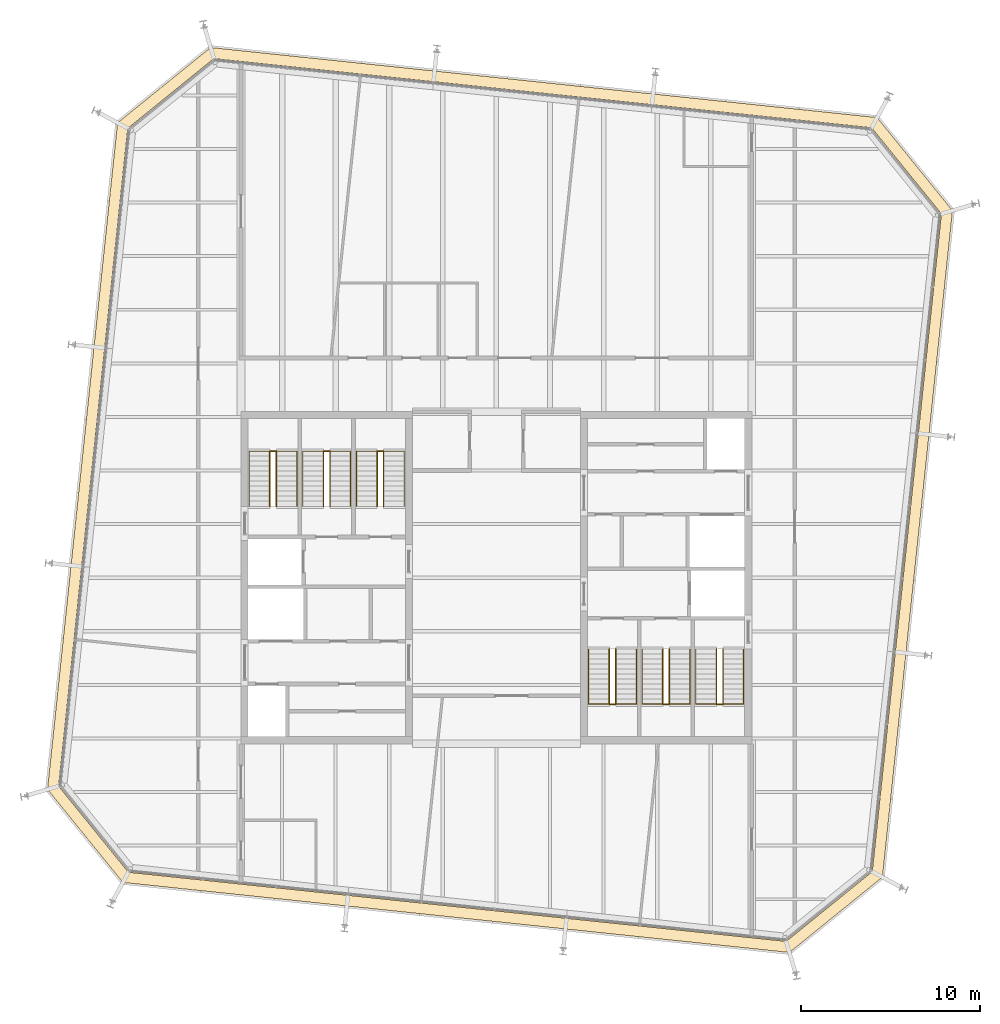
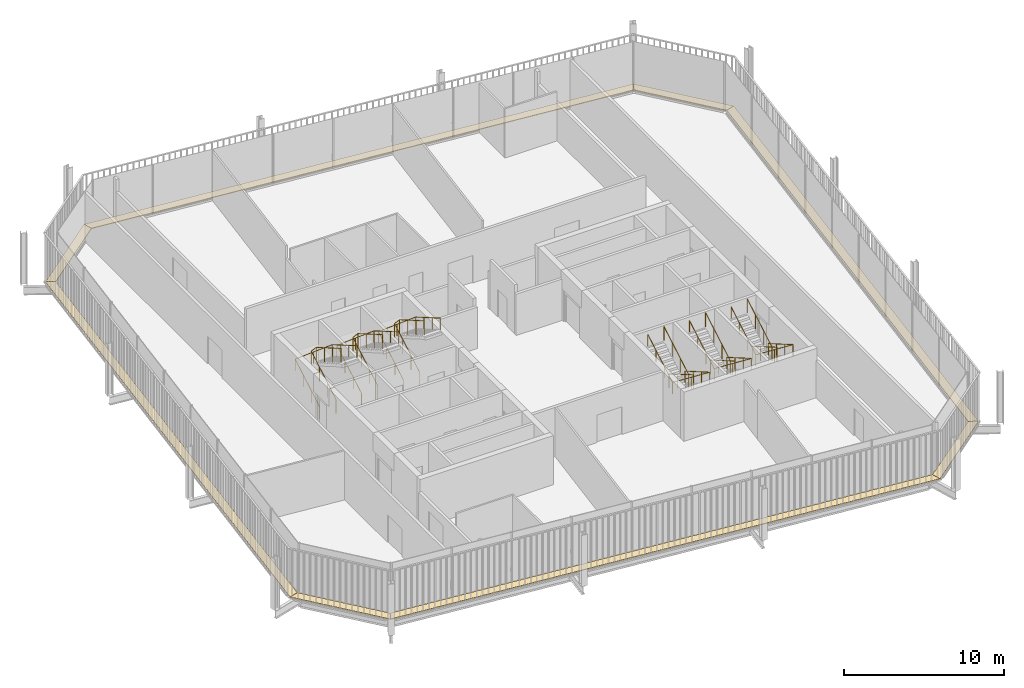
# One storey, part 20 of 20: 12 railings, 8 coverings.
"""IFC4 building model written with IfcOpenShell, lengths in metres."""

from ifc_helpers import new_model, si_unit, direction, frame, origin, origin_2d, place, context, subcontext, project, spatial, polyline, circle, outline, extrude, material, layer, layer_set, type_object, element, save


model = new_model("IFC4")

# Units and contexts
model_context = context("Model", 3, precision=1e-05, world=origin(), true_north=direction((0.0, 1.0)))
body_context = subcontext(model_context, "Body", "Model", "MODEL_VIEW")
ifc_project = project(units=[si_unit("LENGTHUNIT", "METRE"), si_unit("AREAUNIT", "SQUARE_METRE"), si_unit("VOLUMEUNIT", "CUBIC_METRE"), si_unit("PLANEANGLEUNIT", "RADIAN"), si_unit("MASSUNIT", "GRAM", prefix="KILO")], contexts=[model_context])

# Site, building, storey
site_placement = place(None, origin())
site = spatial("IfcSite", under=ifc_project, at=site_placement, CompositionType="ELEMENT")
building_placement = place(site_placement, origin())
building = spatial("IfcBuilding", under=site, at=building_placement, Name="Millrace Tower", CompositionType="ELEMENT")
storey_placement = place(building_placement, frame((0.0, 0.0, 303.300048828125)))
storey = spatial("IfcBuildingStorey", under=building, at=storey_placement, Name="L70", CompositionType="ELEMENT", Elevation=303.300048828125)

# Coverings
ifc_material_1 = material(Name="Steel ASTM A36", Category="steel")
ifc_layer = layer(ifc_material_1, 0.050048828125)
ifc_layer_set = layer_set([ifc_layer], Name="Steel ASTM A36")
covering_type = type_object("IfcCoveringType", Name="CAVITY CATWALK steel grating", PredefinedType="FLOORING", material=ifc_layer_set)
placement = place(storey_placement, frame((0.0, 0.0, 0.099853515625)))
element("IfcCovering", 1, at=placement, inside=storey, type_object=covering_type, Name="Cavity catwalk grating E-F01 L70 1", PredefinedType="FLOORING", context=body_context, shape_type="SweptSolid", body=[
    extrude(outline(polyline([(-25.13232421875, -11.8515625), (-20.914306640625, -17.060302734375), (-20.6044921875, -16.489501953125), (-24.509521484375, -11.6669921875), (-25.13232421875, -11.8515625)])), origin(), (0.0, 0.0, 1.0), 0.050048828125),
])
element("IfcCovering", 2, at=placement, inside=storey, type_object=covering_type, Name="Cavity catwalk grating E-F02 L70 1", PredefinedType="FLOORING", context=body_context, shape_type="SweptSolid", body=[
    extrude(outline(polyline([(-20.914306640625, -17.060302734375), (16.4013671875, -20.982177734375), (16.217041015625, -20.359619140625), (-20.6044921875, -16.489501953125), (-20.914306640625, -17.060302734375)])), origin(), (0.0, 0.0, 1.0), 0.050048828125),
])
element("IfcCovering", 3, at=placement, inside=storey, type_object=covering_type, Name="Cavity catwalk grating E-F03 L70 1", PredefinedType="FLOORING", context=body_context, shape_type="SweptSolid", body=[
    extrude(outline(polyline([(16.4013671875, -20.982177734375), (21.6103515625, -16.764404296875), (21.03955078125, -16.454345703125), (16.217041015625, -20.359619140625), (16.4013671875, -20.982177734375)])), origin(), (0.0, 0.0, 1.0), 0.050048828125),
])
element("IfcCovering", 4, at=placement, inside=storey, type_object=covering_type, Name="Cavity catwalk grating E-F04 L70 1", PredefinedType="FLOORING", context=body_context, shape_type="SweptSolid", body=[
    extrude(outline(polyline([(21.6103515625, -16.764404296875), (25.5322265625, 20.551513671875), (24.90966796875, 20.366943359375), (21.03955078125, -16.454345703125), (21.6103515625, -16.764404296875)])), origin(), (0.0, 0.0, 1.0), 0.050048828125),
])
element("IfcCovering", 5, at=placement, inside=storey, type_object=covering_type, Name="Cavity catwalk grating E-F05 L70 1", PredefinedType="FLOORING", context=body_context, shape_type="SweptSolid", body=[
    extrude(outline(polyline([(25.5322265625, 20.551513671875), (21.314208984375, 25.76025390625), (21.00439453125, 25.189453125), (24.90966796875, 20.366943359375), (25.5322265625, 20.551513671875)])), origin(), (0.0, 0.0, 1.0), 0.050048828125),
])
element("IfcCovering", 6, at=placement, inside=storey, type_object=covering_type, Name="Cavity catwalk grating E-F06 L70 1", PredefinedType="FLOORING", context=body_context, shape_type="SweptSolid", body=[
    extrude(outline(polyline([(21.314208984375, 25.76025390625), (-16.00146484375, 29.682373046875), (-15.817138671875, 29.0595703125), (21.00439453125, 25.189453125), (21.314208984375, 25.76025390625)])), origin(), (0.0, 0.0, 1.0), 0.050048828125),
])
element("IfcCovering", 7, at=placement, inside=storey, type_object=covering_type, Name="Cavity catwalk grating E-F07 L70 1", PredefinedType="FLOORING", context=body_context, shape_type="SweptSolid", body=[
    extrude(outline(polyline([(-16.00146484375, 29.682373046875), (-21.210205078125, 25.46435546875), (-20.639404296875, 25.154541015625), (-15.817138671875, 29.0595703125), (-16.00146484375, 29.682373046875)])), origin(), (0.0, 0.0, 1.0), 0.050048828125),
])
element("IfcCovering", 8, at=placement, inside=storey, type_object=covering_type, Name="Cavity catwalk grating E-F08 L70 1", PredefinedType="FLOORING", context=body_context, shape_type="SweptSolid", body=[
    extrude(outline(polyline([(-21.210205078125, 25.46435546875), (-25.13232421875, -11.8515625), (-24.509521484375, -11.6669921875), (-20.639404296875, 25.154541015625), (-21.210205078125, 25.46435546875)])), origin(), (0.0, 0.0, 1.0), 0.050048828125),
])

# Railings
ifc_material_2 = material(Name="Stainless steel ASTM A240 type 316", Category="steel")
railing_type_1 = type_object("IfcRailingType", Name="Stair guard 1100", PredefinedType="GUARDRAIL", material=ifc_material_2)
for number, where, name in (
    (9, (-12.679931640625, 4.0, 0.162353515625), "Stair guard 1 W L70"),
    (10, (-9.679931640625, 4.0, 0.162353515625), "Stair guard 2 W L70"),
    (11, (-6.679931640625, 4.0, 0.162353515625), "Stair guard 3 W L70"),
):
    element("IfcRailing", number, at=place(storey_placement, frame(where)), inside=storey, type_object=railing_type_1, Name=name, PredefinedType="GUARDRAIL", context=body_context, shape_type="SweptSolid", body=[
        extrude(circle(Radius=0.02392578125, at=origin_2d()), frame((0.0, 0.0, 1.076171875), z_axis=(0.0, 0.864890721111, 0.501960198159), x_axis=(-1.0, 0.0, 0.0)), (0.0, 0.0, 1.0), 3.561279296875),
        extrude(circle(Radius=0.02392578125, at=origin_2d()), frame((0.0, 3.080078125, 2.86376953125), z_axis=(0.911295775139, 0.0, 0.411752365158), x_axis=(0.0, 1.0, 0.0)), (0.0, 0.0, 1.0), 0.394775390625),
        extrude(circle(Radius=0.02392578125, at=origin_2d()), frame((0.35986328125, 3.080078125, 3.0263671875), z_axis=(0.0, -0.864920483161, 0.501908913857), x_axis=(1.0, 0.0, 0.0)), (0.0, 0.0, 1.0), 3.56103515625),
        extrude(circle(Radius=0.02099609375, at=origin_2d()), origin(), (0.0, 0.0, 1.0), 1.052001953125),
        extrude(circle(Radius=0.02099609375, at=origin_2d()), frame((0.0, 1.026611328125, 0.595947265625)), (0.0, 0.0, 1.0), 1.052001953125),
        extrude(circle(Radius=0.02099609375, at=origin_2d()), frame((0.0, 2.053466796875, 1.191650390625)), (0.0, 0.0, 1.0), 1.052001953125),
        extrude(circle(Radius=0.02099609375, at=origin_2d()), frame((0.0, 3.080078125, 1.78759765625)), (0.0, 0.0, 1.0), 1.052001953125),
        extrude(circle(Radius=0.02099609375, at=origin_2d()), frame((0.35986328125, 3.080078125, 1.9501953125)), (0.0, 0.0, 1.0), 1.052001953125),
        extrude(circle(Radius=0.02099609375, at=origin_2d()), frame((0.35986328125, 2.053466796875, 2.5458984375)), (0.0, 0.0, 1.0), 1.052001953125),
        extrude(circle(Radius=0.02099609375, at=origin_2d()), frame((0.35986328125, 1.026611328125, 3.141845703125)), (0.0, 0.0, 1.0), 1.052001953125),
        extrude(circle(Radius=0.02099609375, at=origin_2d()), frame((0.35986328125, 0.0, 3.737548828125)), (0.0, 0.0, 1.0), 1.052001953125),
    ])
for number, where, name in (
    (12, (12.679931640625, -4.0, 0.162353515625), "Stair guard 1 E L70"),
    (13, (9.679931640625, -4.0, 0.162353515625), "Stair guard 2 E L70"),
    (14, (6.679931640625, -4.0, 0.162353515625), "Stair guard 3 E L70"),
):
    element("IfcRailing", number, at=place(storey_placement, frame(where)), inside=storey, type_object=railing_type_1, Name=name, PredefinedType="GUARDRAIL", context=body_context, shape_type="SweptSolid", body=[
        extrude(circle(Radius=0.02392578125, at=origin_2d()), frame((0.0, 0.0, 1.076171875), z_axis=(0.0, -0.864890721111, 0.501960198159), x_axis=(1.0, 0.0, 0.0)), (0.0, 0.0, 1.0), 3.561279296875),
        extrude(circle(Radius=0.02392578125, at=origin_2d()), frame((0.0, -3.080078125, 2.86376953125), z_axis=(-0.911295775139, 0.0, 0.411752365158), x_axis=(0.0, -1.0, 0.0)), (0.0, 0.0, 1.0), 0.394775390625),
        extrude(circle(Radius=0.02392578125, at=origin_2d()), frame((-0.35986328125, -3.080078125, 3.0263671875), z_axis=(0.0, 0.864920483161, 0.501908913857), x_axis=(-1.0, 0.0, 0.0)), (0.0, 0.0, 1.0), 3.56103515625),
        extrude(circle(Radius=0.02099609375, at=origin_2d()), origin(), (0.0, 0.0, 1.0), 1.052001953125),
        extrude(circle(Radius=0.02099609375, at=origin_2d()), frame((0.0, -1.026611328125, 0.595947265625)), (0.0, 0.0, 1.0), 1.052001953125),
        extrude(circle(Radius=0.02099609375, at=origin_2d()), frame((0.0, -2.053466796875, 1.191650390625)), (0.0, 0.0, 1.0), 1.052001953125),
        extrude(circle(Radius=0.02099609375, at=origin_2d()), frame((0.0, -3.080078125, 1.78759765625)), (0.0, 0.0, 1.0), 1.052001953125),
        extrude(circle(Radius=0.02099609375, at=origin_2d()), frame((-0.35986328125, -3.080078125, 1.9501953125)), (0.0, 0.0, 1.0), 1.052001953125),
        extrude(circle(Radius=0.02099609375, at=origin_2d()), frame((-0.35986328125, -2.053466796875, 2.5458984375)), (0.0, 0.0, 1.0), 1.052001953125),
        extrude(circle(Radius=0.02099609375, at=origin_2d()), frame((-0.35986328125, -1.026611328125, 3.141845703125)), (0.0, 0.0, 1.0), 1.052001953125),
        extrude(circle(Radius=0.02099609375, at=origin_2d()), frame((-0.35986328125, 0.0, 3.737548828125)), (0.0, 0.0, 1.0), 1.052001953125),
    ])
ifc_material_3 = material(Name="Stainless steel ASTM A240 type 316", Category="steel")
railing_type_2 = type_object("IfcRailingType", Name="Stair handrail 900", PredefinedType="HANDRAIL", material=ifc_material_3)
railing_1_placement = place(storey_placement, frame((-13.840087890625, 4.0, 0.162353515625)))
element("IfcRailing", 15, at=railing_1_placement, inside=storey, type_object=railing_type_2, Name="Stair handrail 1 W L70", PredefinedType="HANDRAIL", context=body_context, shape_type="SweptSolid", body=[
    extrude(circle(Radius=0.02392578125, at=origin_2d()), frame((0.0, 0.0, 0.8759765625), z_axis=(0.0, 0.864890721111, 0.501960198159), x_axis=(-1.0, 0.0, 0.0)), (0.0, 0.0, 1.0), 3.561279296875),
    extrude(circle(Radius=0.02392578125, at=origin_2d()), frame((0.0, 3.080078125, 2.66357421875), z_axis=(0.998164834547, 0.0, 0.060555454528), x_axis=(0.0, 1.0, 0.0)), (0.0, 0.0, 1.0), 2.68505859375),
    extrude(circle(Radius=0.02392578125, at=origin_2d()), frame((2.68017578125, 3.080078125, 2.826171875), z_axis=(0.0, -0.864920483161, 0.501908913857), x_axis=(1.0, 0.0, 0.0)), (0.0, 0.0, 1.0), 3.56103515625),
    extrude(circle(Radius=0.02099609375, at=origin_2d()), origin(), (0.0, 0.0, 1.0), 0.851806640625),
    extrude(circle(Radius=0.02099609375, at=origin_2d()), frame((0.0, 1.026611328125, 0.595947265625)), (0.0, 0.0, 1.0), 0.851806640625),
    extrude(circle(Radius=0.02099609375, at=origin_2d()), frame((0.0, 2.053466796875, 1.191650390625)), (0.0, 0.0, 1.0), 0.851806640625),
    extrude(circle(Radius=0.02099609375, at=origin_2d()), frame((0.0, 3.080078125, 1.78759765625)), (0.0, 0.0, 1.0), 0.851806640625),
    extrude(circle(Radius=0.02099609375, at=origin_2d()), frame((1.340087890625, 3.080078125, 1.868896484375)), (0.0, 0.0, 1.0), 0.851806640625),
    extrude(circle(Radius=0.02099609375, at=origin_2d()), frame((2.68017578125, 3.080078125, 1.9501953125)), (0.0, 0.0, 1.0), 0.851806640625),
    extrude(circle(Radius=0.02099609375, at=origin_2d()), frame((2.68017578125, 2.053466796875, 2.5458984375)), (0.0, 0.0, 1.0), 0.851806640625),
    extrude(circle(Radius=0.02099609375, at=origin_2d()), frame((2.68017578125, 1.026611328125, 3.141845703125)), (0.0, 0.0, 1.0), 0.851806640625),
    extrude(circle(Radius=0.02099609375, at=origin_2d()), frame((2.68017578125, 0.0, 3.737548828125)), (0.0, 0.0, 1.0), 0.851806640625),
])
railing_2_placement = place(storey_placement, frame((-10.840087890625, 4.0, 0.162353515625)))
element("IfcRailing", 16, at=railing_2_placement, inside=storey, type_object=railing_type_2, Name="Stair handrail 2 W L70", PredefinedType="HANDRAIL", context=body_context, shape_type="SweptSolid", body=[
    extrude(circle(Radius=0.02392578125, at=origin_2d()), frame((0.0, 0.0, 0.8759765625), z_axis=(0.0, 0.864890721111, 0.501960198159), x_axis=(-1.0, 0.0, 0.0)), (0.0, 0.0, 1.0), 3.561279296875),
    extrude(circle(Radius=0.02392578125, at=origin_2d()), frame((0.0, 3.080078125, 2.66357421875), z_axis=(0.998164834547, 0.0, 0.060555454528), x_axis=(0.0, 1.0, 0.0)), (0.0, 0.0, 1.0), 2.68505859375),
    extrude(circle(Radius=0.02392578125, at=origin_2d()), frame((2.68017578125, 3.080078125, 2.826171875), z_axis=(0.0, -0.864920483161, 0.501908913857), x_axis=(1.0, 0.0, 0.0)), (0.0, 0.0, 1.0), 3.56103515625),
    extrude(circle(Radius=0.02099609375, at=origin_2d()), origin(), (0.0, 0.0, 1.0), 0.851806640625),
    extrude(circle(Radius=0.02099609375, at=origin_2d()), frame((0.0, 1.026611328125, 0.595947265625)), (0.0, 0.0, 1.0), 0.851806640625),
    extrude(circle(Radius=0.02099609375, at=origin_2d()), frame((0.0, 2.053466796875, 1.191650390625)), (0.0, 0.0, 1.0), 0.851806640625),
    extrude(circle(Radius=0.02099609375, at=origin_2d()), frame((0.0, 3.080078125, 1.78759765625)), (0.0, 0.0, 1.0), 0.851806640625),
    extrude(circle(Radius=0.02099609375, at=origin_2d()), frame((1.340087890625, 3.080078125, 1.868896484375)), (0.0, 0.0, 1.0), 0.851806640625),
    extrude(circle(Radius=0.02099609375, at=origin_2d()), frame((2.68017578125, 3.080078125, 1.9501953125)), (0.0, 0.0, 1.0), 0.851806640625),
    extrude(circle(Radius=0.02099609375, at=origin_2d()), frame((2.68017578125, 2.053466796875, 2.5458984375)), (0.0, 0.0, 1.0), 0.851806640625),
    extrude(circle(Radius=0.02099609375, at=origin_2d()), frame((2.68017578125, 1.026611328125, 3.141845703125)), (0.0, 0.0, 1.0), 0.851806640625),
    extrude(circle(Radius=0.02099609375, at=origin_2d()), frame((2.68017578125, 0.0, 3.737548828125)), (0.0, 0.0, 1.0), 0.851806640625),
])
railing_3_placement = place(storey_placement, frame((-7.840087890625, 4.0, 0.162353515625)))
element("IfcRailing", 17, at=railing_3_placement, inside=storey, type_object=railing_type_2, Name="Stair handrail 3 W L70", PredefinedType="HANDRAIL", context=body_context, shape_type="SweptSolid", body=[
    extrude(circle(Radius=0.02392578125, at=origin_2d()), frame((0.0, 0.0, 0.8759765625), z_axis=(0.0, 0.864890721111, 0.501960198159), x_axis=(-1.0, 0.0, 0.0)), (0.0, 0.0, 1.0), 3.561279296875),
    extrude(circle(Radius=0.02392578125, at=origin_2d()), frame((0.0, 3.080078125, 2.66357421875), z_axis=(0.998164834547, 0.0, 0.060555454528), x_axis=(0.0, 1.0, 0.0)), (0.0, 0.0, 1.0), 2.68505859375),
    extrude(circle(Radius=0.02392578125, at=origin_2d()), frame((2.68017578125, 3.080078125, 2.826171875), z_axis=(0.0, -0.864920483161, 0.501908913857), x_axis=(1.0, 0.0, 0.0)), (0.0, 0.0, 1.0), 3.56103515625),
    extrude(circle(Radius=0.02099609375, at=origin_2d()), origin(), (0.0, 0.0, 1.0), 0.851806640625),
    extrude(circle(Radius=0.02099609375, at=origin_2d()), frame((0.0, 1.026611328125, 0.595947265625)), (0.0, 0.0, 1.0), 0.851806640625),
    extrude(circle(Radius=0.02099609375, at=origin_2d()), frame((0.0, 2.053466796875, 1.191650390625)), (0.0, 0.0, 1.0), 0.851806640625),
    extrude(circle(Radius=0.02099609375, at=origin_2d()), frame((0.0, 3.080078125, 1.78759765625)), (0.0, 0.0, 1.0), 0.851806640625),
    extrude(circle(Radius=0.02099609375, at=origin_2d()), frame((1.340087890625, 3.080078125, 1.868896484375)), (0.0, 0.0, 1.0), 0.851806640625),
    extrude(circle(Radius=0.02099609375, at=origin_2d()), frame((2.68017578125, 3.080078125, 1.9501953125)), (0.0, 0.0, 1.0), 0.851806640625),
    extrude(circle(Radius=0.02099609375, at=origin_2d()), frame((2.68017578125, 2.053466796875, 2.5458984375)), (0.0, 0.0, 1.0), 0.851806640625),
    extrude(circle(Radius=0.02099609375, at=origin_2d()), frame((2.68017578125, 1.026611328125, 3.141845703125)), (0.0, 0.0, 1.0), 0.851806640625),
    extrude(circle(Radius=0.02099609375, at=origin_2d()), frame((2.68017578125, 0.0, 3.737548828125)), (0.0, 0.0, 1.0), 0.851806640625),
])
railing_4_placement = place(storey_placement, frame((13.840087890625, -4.0, 0.162353515625)))
element("IfcRailing", 18, at=railing_4_placement, inside=storey, type_object=railing_type_2, Name="Stair handrail 1 E L70", PredefinedType="HANDRAIL", context=body_context, shape_type="SweptSolid", body=[
    extrude(circle(Radius=0.02392578125, at=origin_2d()), frame((0.0, 0.0, 0.8759765625), z_axis=(0.0, -0.864890721111, 0.501960198159), x_axis=(1.0, 0.0, 0.0)), (0.0, 0.0, 1.0), 3.561279296875),
    extrude(circle(Radius=0.02392578125, at=origin_2d()), frame((0.0, -3.080078125, 2.66357421875), z_axis=(-0.998164834547, 0.0, 0.060555454528), x_axis=(0.0, -1.0, 0.0)), (0.0, 0.0, 1.0), 2.68505859375),
    extrude(circle(Radius=0.02392578125, at=origin_2d()), frame((-2.68017578125, -3.080078125, 2.826171875), z_axis=(0.0, 0.864920483161, 0.501908913857), x_axis=(-1.0, 0.0, 0.0)), (0.0, 0.0, 1.0), 3.56103515625),
    extrude(circle(Radius=0.02099609375, at=origin_2d()), origin(), (0.0, 0.0, 1.0), 0.851806640625),
    extrude(circle(Radius=0.02099609375, at=origin_2d()), frame((0.0, -1.026611328125, 0.595947265625)), (0.0, 0.0, 1.0), 0.851806640625),
    extrude(circle(Radius=0.02099609375, at=origin_2d()), frame((0.0, -2.053466796875, 1.191650390625)), (0.0, 0.0, 1.0), 0.851806640625),
    extrude(circle(Radius=0.02099609375, at=origin_2d()), frame((0.0, -3.080078125, 1.78759765625)), (0.0, 0.0, 1.0), 0.851806640625),
    extrude(circle(Radius=0.02099609375, at=origin_2d()), frame((-1.340087890625, -3.080078125, 1.868896484375)), (0.0, 0.0, 1.0), 0.851806640625),
    extrude(circle(Radius=0.02099609375, at=origin_2d()), frame((-2.68017578125, -3.080078125, 1.9501953125)), (0.0, 0.0, 1.0), 0.851806640625),
    extrude(circle(Radius=0.02099609375, at=origin_2d()), frame((-2.68017578125, -2.053466796875, 2.5458984375)), (0.0, 0.0, 1.0), 0.851806640625),
    extrude(circle(Radius=0.02099609375, at=origin_2d()), frame((-2.68017578125, -1.026611328125, 3.141845703125)), (0.0, 0.0, 1.0), 0.851806640625),
    extrude(circle(Radius=0.02099609375, at=origin_2d()), frame((-2.68017578125, 0.0, 3.737548828125)), (0.0, 0.0, 1.0), 0.851806640625),
])
railing_5_placement = place(storey_placement, frame((10.840087890625, -4.0, 0.162353515625)))
element("IfcRailing", 19, at=railing_5_placement, inside=storey, type_object=railing_type_2, Name="Stair handrail 2 E L70", PredefinedType="HANDRAIL", context=body_context, shape_type="SweptSolid", body=[
    extrude(circle(Radius=0.02392578125, at=origin_2d()), frame((0.0, 0.0, 0.8759765625), z_axis=(0.0, -0.864890721111, 0.501960198159), x_axis=(1.0, 0.0, 0.0)), (0.0, 0.0, 1.0), 3.561279296875),
    extrude(circle(Radius=0.02392578125, at=origin_2d()), frame((0.0, -3.080078125, 2.66357421875), z_axis=(-0.998164834547, 0.0, 0.060555454528), x_axis=(0.0, -1.0, 0.0)), (0.0, 0.0, 1.0), 2.68505859375),
    extrude(circle(Radius=0.02392578125, at=origin_2d()), frame((-2.68017578125, -3.080078125, 2.826171875), z_axis=(0.0, 0.864920483161, 0.501908913857), x_axis=(-1.0, 0.0, 0.0)), (0.0, 0.0, 1.0), 3.56103515625),
    extrude(circle(Radius=0.02099609375, at=origin_2d()), origin(), (0.0, 0.0, 1.0), 0.851806640625),
    extrude(circle(Radius=0.02099609375, at=origin_2d()), frame((0.0, -1.026611328125, 0.595947265625)), (0.0, 0.0, 1.0), 0.851806640625),
    extrude(circle(Radius=0.02099609375, at=origin_2d()), frame((0.0, -2.053466796875, 1.191650390625)), (0.0, 0.0, 1.0), 0.851806640625),
    extrude(circle(Radius=0.02099609375, at=origin_2d()), frame((0.0, -3.080078125, 1.78759765625)), (0.0, 0.0, 1.0), 0.851806640625),
    extrude(circle(Radius=0.02099609375, at=origin_2d()), frame((-1.340087890625, -3.080078125, 1.868896484375)), (0.0, 0.0, 1.0), 0.851806640625),
    extrude(circle(Radius=0.02099609375, at=origin_2d()), frame((-2.68017578125, -3.080078125, 1.9501953125)), (0.0, 0.0, 1.0), 0.851806640625),
    extrude(circle(Radius=0.02099609375, at=origin_2d()), frame((-2.68017578125, -2.053466796875, 2.5458984375)), (0.0, 0.0, 1.0), 0.851806640625),
    extrude(circle(Radius=0.02099609375, at=origin_2d()), frame((-2.68017578125, -1.026611328125, 3.141845703125)), (0.0, 0.0, 1.0), 0.851806640625),
    extrude(circle(Radius=0.02099609375, at=origin_2d()), frame((-2.68017578125, 0.0, 3.737548828125)), (0.0, 0.0, 1.0), 0.851806640625),
])
railing_6_placement = place(storey_placement, frame((7.840087890625, -4.0, 0.162353515625)))
element("IfcRailing", 20, at=railing_6_placement, inside=storey, type_object=railing_type_2, Name="Stair handrail 3 E L70", PredefinedType="HANDRAIL", context=body_context, shape_type="SweptSolid", body=[
    extrude(circle(Radius=0.02392578125, at=origin_2d()), frame((0.0, 0.0, 0.8759765625), z_axis=(0.0, -0.864890721111, 0.501960198159), x_axis=(1.0, 0.0, 0.0)), (0.0, 0.0, 1.0), 3.561279296875),
    extrude(circle(Radius=0.02392578125, at=origin_2d()), frame((0.0, -3.080078125, 2.66357421875), z_axis=(-0.998164834547, 0.0, 0.060555454528), x_axis=(0.0, -1.0, 0.0)), (0.0, 0.0, 1.0), 2.68505859375),
    extrude(circle(Radius=0.02392578125, at=origin_2d()), frame((-2.68017578125, -3.080078125, 2.826171875), z_axis=(0.0, 0.864920483161, 0.501908913857), x_axis=(-1.0, 0.0, 0.0)), (0.0, 0.0, 1.0), 3.56103515625),
    extrude(circle(Radius=0.02099609375, at=origin_2d()), origin(), (0.0, 0.0, 1.0), 0.851806640625),
    extrude(circle(Radius=0.02099609375, at=origin_2d()), frame((0.0, -1.026611328125, 0.595947265625)), (0.0, 0.0, 1.0), 0.851806640625),
    extrude(circle(Radius=0.02099609375, at=origin_2d()), frame((0.0, -2.053466796875, 1.191650390625)), (0.0, 0.0, 1.0), 0.851806640625),
    extrude(circle(Radius=0.02099609375, at=origin_2d()), frame((0.0, -3.080078125, 1.78759765625)), (0.0, 0.0, 1.0), 0.851806640625),
    extrude(circle(Radius=0.02099609375, at=origin_2d()), frame((-1.340087890625, -3.080078125, 1.868896484375)), (0.0, 0.0, 1.0), 0.851806640625),
    extrude(circle(Radius=0.02099609375, at=origin_2d()), frame((-2.68017578125, -3.080078125, 1.9501953125)), (0.0, 0.0, 1.0), 0.851806640625),
    extrude(circle(Radius=0.02099609375, at=origin_2d()), frame((-2.68017578125, -2.053466796875, 2.5458984375)), (0.0, 0.0, 1.0), 0.851806640625),
    extrude(circle(Radius=0.02099609375, at=origin_2d()), frame((-2.68017578125, -1.026611328125, 3.141845703125)), (0.0, 0.0, 1.0), 0.851806640625),
    extrude(circle(Radius=0.02099609375, at=origin_2d()), frame((-2.68017578125, 0.0, 3.737548828125)), (0.0, 0.0, 1.0), 0.851806640625),
])

save(model, "model.ifc")
